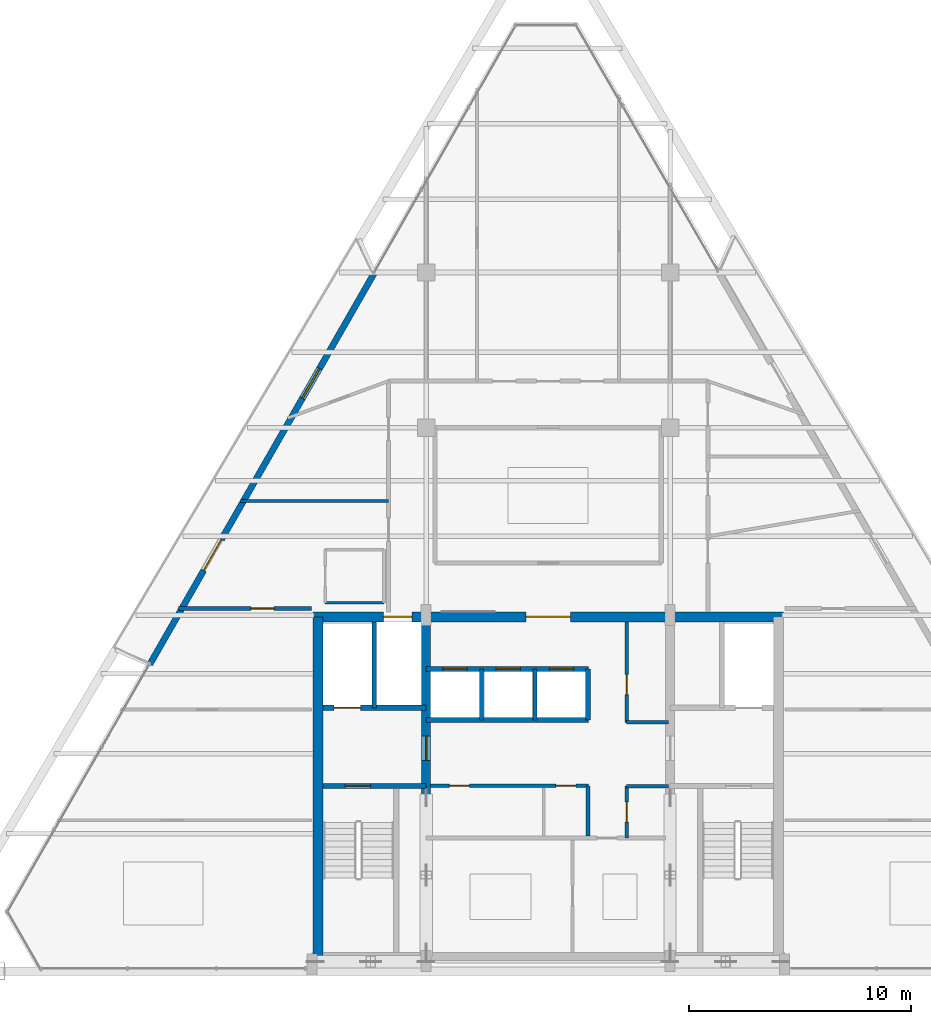
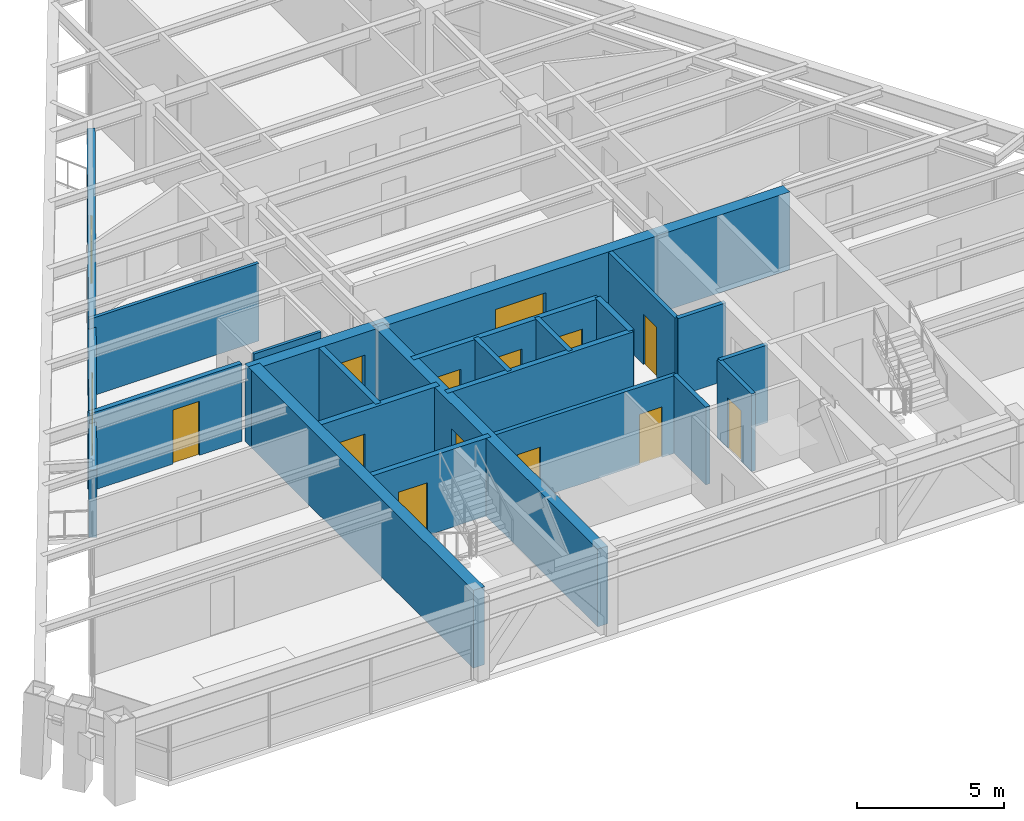
# One storey, part 9 of 13: 21 walls, 14 doors, 1 window, 15 openings.
"""IFC4 building model written with IfcOpenShell, lengths in metres."""

import ifcopenshell
import ifcopenshell.guid

model = None  # the IFC model being written
_history = None  # IfcOwnerHistory: only IFC2X3 demands one
_inside = {}  # id of a spatial element -> (the spatial element, [elements in it])
_under = {}  # id of a project, library or spatial element -> (it, [spatial elements below it])
_declared = {}  # id of a project -> (the project, [libraries it declares])
_typed = {}  # id of a type object -> (the type object, [elements of that type])
_made_of = {}  # id of a material, layer set ... -> (it, [elements and type objects made of it])


def new_model(schema):
    """Start an empty IFC model of exactly this schema.

    Asked for "IFC4X3", IfcOpenShell would pick the latest addendum, in which some entities
    have other attributes; the version numbers below select the first issue.
    IFC2X3 requires an IfcOwnerHistory on every rooted entity: one is made here for all.
    """
    global model, _history
    if schema == "IFC4X3":
        model = ifcopenshell.file(schema_version=(4, 3, 0, 0))
    else:
        model = ifcopenshell.file(schema=schema)
    _inside.clear()
    _under.clear()
    _declared.clear()
    _typed.clear()
    _made_of.clear()
    _history = None
    if model.schema == "IFC2X3":
        org = make("IfcOrganization", Name="unknown")
        user = make(
            "IfcPersonAndOrganization",
            ThePerson=make("IfcPerson", FamilyName="unknown"),
            TheOrganization=org,
        )
        app = make(
            "IfcApplication",
            ApplicationDeveloper=org,
            Version="unknown",
            ApplicationFullName="unknown",
            ApplicationIdentifier="unknown",
        )
        _history = make(
            "IfcOwnerHistory",
            OwningUser=user,
            OwningApplication=app,
            ChangeAction="ADDED",
            CreationDate=0,
        )
    return model


def make(cls, **values):
    """One entity of the class cls with the attributes given. An attribute that is None is left unset."""
    return model.create_entity(
        cls, **{name: value for name, value in values.items() if value is not None}
    )


def rooted(cls, **values):
    """An entity with a GlobalId (a new one), such as an element, a storey or a relation."""
    return make(cls, GlobalId=ifcopenshell.guid.new(), OwnerHistory=_history, **values)


def si_unit(unit_type, name, prefix=None):
    """IfcSIUnit, for example si_unit("LENGTHUNIT", "METRE", prefix="MILLI")."""
    return make("IfcSIUnit", UnitType=unit_type, Prefix=prefix, Name=name)


def assignment(units):
    """IfcUnitAssignment: the units of a project."""
    return None if units is None else make("IfcUnitAssignment", Units=units)


def point(xyz):
    """IfcCartesianPoint."""
    return None if xyz is None else make("IfcCartesianPoint", Coordinates=xyz)


def direction(xyz):
    """IfcDirection."""
    return None if xyz is None else make("IfcDirection", DirectionRatios=xyz)


def frame(location, z_axis=None, x_axis=None):
    """IfcAxis2Placement3D, a coordinate frame: its origin and axes. An axis left out is left unset."""
    return make(
        "IfcAxis2Placement3D",
        Location=point(location),
        Axis=direction(z_axis),
        RefDirection=direction(x_axis),
    )


def frame_2d(location, x_axis=None):
    """IfcAxis2Placement2D, a coordinate frame in the plane: its origin and x axis."""
    return make(
        "IfcAxis2Placement2D", Location=point(location), RefDirection=direction(x_axis)
    )


def origin():
    """The frame at (0, 0, 0) with its axes left unset."""
    return frame((0.0, 0.0, 0.0))


def place(relative_to, where):
    """IfcLocalPlacement: puts the frame where relative to a parent placement (None: the world)."""
    return make(
        "IfcLocalPlacement", PlacementRelTo=relative_to, RelativePlacement=where
    )


def context(
    kind, dimensions, precision=None, world=None, true_north=None, identifier=None
):
    """IfcGeometricRepresentationContext, for example the 3D "Model" context."""
    return make(
        "IfcGeometricRepresentationContext",
        ContextIdentifier=identifier,
        ContextType=kind,
        CoordinateSpaceDimension=dimensions,
        Precision=precision,
        WorldCoordinateSystem=world,
        TrueNorth=true_north,
    )


def subcontext(parent, identifier, kind, view, scale=None):
    """IfcGeometricRepresentationSubContext, for example "Body" below "Model"."""
    return make(
        "IfcGeometricRepresentationSubContext",
        ContextIdentifier=identifier,
        ContextType=kind,
        ParentContext=parent,
        TargetScale=scale,
        TargetView=view,
    )


def project(units=None, contexts=None):
    """IfcProject with its units and contexts."""
    return rooted(
        "IfcProject",
        Name="project",
        RepresentationContexts=contexts,
        UnitsInContext=assignment(units),
    )


def spatial(cls, under=None, at=None, **own):
    """A site, building, storey or space (cls), placed at a placement, below another one or the project."""
    s = rooted(cls, ObjectPlacement=at, **own)
    if under is not None:
        _under.setdefault(under.id(), (under, []))[1].append(s)
    return s


def profile(cls, at=None, kind="AREA", **sizes):
    """A parametric profile (cls). Its sizes go by their IFC names, for example OverallWidth=200.0."""
    return make(cls, ProfileType=kind, Position=at, **sizes)


def rectangle(**sizes):
    """IfcRectangleProfileDef."""
    return profile("IfcRectangleProfileDef", **sizes)


def extrude(swept, where, along, depth):
    """IfcExtrudedAreaSolid: the profile swept, set in the frame where, extruded along a direction by depth."""
    return make(
        "IfcExtrudedAreaSolid",
        SweptArea=swept,
        Position=where,
        ExtrudedDirection=direction(along),
        Depth=depth,
    )


def shape(context_of_items, identifier, shape_type, items):
    """IfcShapeRepresentation: the items that make up one representation, for example the "Body"."""
    return make(
        "IfcShapeRepresentation",
        ContextOfItems=context_of_items,
        RepresentationIdentifier=identifier,
        RepresentationType=shape_type,
        Items=items,
    )


def source(mapping_origin, context_of_items, identifier, shape_type, items):
    """IfcRepresentationMap: a shape defined once, which mapped items show again and again."""
    return make(
        "IfcRepresentationMap",
        MappingOrigin=mapping_origin,
        MappedRepresentation=shape(context_of_items, identifier, shape_type, items),
    )


def transform(
    local_origin,
    x_axis=None,
    y_axis=None,
    z_axis=None,
    scale=None,
    scale2=None,
    scale3=None,
    uniform=True,
):
    """IfcCartesianTransformationOperator3D, or its non-uniform kind. x_axis, y_axis, z_axis: its Axis1, 2, 3."""
    if uniform:
        return make(
            "IfcCartesianTransformationOperator3D",
            Axis1=direction(x_axis),
            Axis2=direction(y_axis),
            LocalOrigin=point(local_origin),
            Scale=scale,
            Axis3=direction(z_axis),
        )
    return make(
        "IfcCartesianTransformationOperator3DnonUniform",
        Axis1=direction(x_axis),
        Axis2=direction(y_axis),
        LocalOrigin=point(local_origin),
        Scale=scale,
        Axis3=direction(z_axis),
        Scale2=scale2,
        Scale3=scale3,
    )


def mapped(mapping_source, mapping_target):
    """IfcMappedItem: shows the shape of a source again, moved by a transform."""
    return make(
        "IfcMappedItem", MappingSource=mapping_source, MappingTarget=mapping_target
    )


def material(Name=None, Category=None):
    """IfcMaterial."""
    return make("IfcMaterial", Name=Name, Category=Category)


def layer(
    of_material, thickness, ventilated=None, Name=None, Category=None, Priority=None
):
    """IfcMaterialLayer: one layer of a wall or slab, of a material (None: an air gap)."""
    return make(
        "IfcMaterialLayer",
        Material=of_material,
        LayerThickness=thickness,
        IsVentilated=ventilated,
        Name=Name,
        Category=Category,
        Priority=Priority,
    )


def layer_set(layers, Name=None):
    """IfcMaterialLayerSet."""
    return make("IfcMaterialLayerSet", MaterialLayers=layers, LayerSetName=Name)


def made_of(thing, what):
    """Note that an element or type object is made of a material, layer set ...; save() writes the relation."""
    if what is not None:
        _made_of.setdefault(what.id(), (what, []))[1].append(thing)
    return thing


def type_object(cls, material=None, **own):
    """A type object (cls), such as IfcWallType, which elements share."""
    return made_of(rooted(cls, **own), material)


def type_shapes(of_type, sources):
    """Give a type object the sources (RepresentationMaps) that its elements show as mapped items."""
    of_type.RepresentationMaps = sources


def element(
    cls,
    number,
    at=None,
    inside=None,
    cuts=None,
    type_object=None,
    material=None,
    context=None,
    identifier="Body",
    shape_type=None,
    held_by="IfcProductDefinitionShape",
    body=None,
    shapes=None,
    **own,
):
    """One element of the class cls, such as IfcWall. Its Tag is "e" and its number.

    at: its placement. inside: the storey or other place that contains it. cuts: it is an
    opening in that element (IfcRelVoidsElement). A single representation is given by context,
    identifier, shape_type and body (its items); several are given by shapes. held_by: the class
    of the entity that holds the representations. save() writes the other relations.
    """
    e = rooted(cls, Tag="e%d" % number, ObjectPlacement=at, **own)
    if body is not None:
        shapes = [shape(context, identifier, shape_type, body)]
    if shapes is not None:
        e.Representation = make(held_by, Representations=shapes)
    if inside is not None:
        _inside.setdefault(inside.id(), (inside, []))[1].append(e)
    if cuts is not None:
        rooted(
            "IfcRelVoidsElement", RelatingBuildingElement=cuts, RelatedOpeningElement=e
        )
    if type_object is not None:
        _typed.setdefault(type_object.id(), (type_object, []))[1].append(e)
    return made_of(e, material)


def fill(opening, filler):
    """IfcRelFillsElement: the door or window that sits in an opening."""
    return rooted(
        "IfcRelFillsElement",
        RelatingOpeningElement=opening,
        RelatedBuildingElement=filler,
    )


def aggregate(whole, parts):
    """IfcRelAggregates: a whole, such as a stair, and the parts it consists of."""
    return rooted("IfcRelAggregates", RelatingObject=whole, RelatedObjects=parts)


def save(model, path):
    """Write the relations noted so far, then the file.

    IfcRelAggregates (storeys below a building ...), IfcRelContainedInSpatialStructure (elements
    in a storey), IfcRelDefinesByType, IfcRelAssociatesMaterial and IfcRelDeclares: one each for
    every whole, place, type object, material and project.
    """
    for whole, parts in _under.values():
        aggregate(whole, parts)
    for where, things in _inside.values():
        rooted(
            "IfcRelContainedInSpatialStructure",
            RelatedElements=things,
            RelatingStructure=where,
        )
    for kind, things in _typed.values():
        rooted("IfcRelDefinesByType", RelatedObjects=things, RelatingType=kind)
    for what, things in _made_of.values():
        rooted("IfcRelAssociatesMaterial", RelatedObjects=things, RelatingMaterial=what)
    for by, libraries in _declared.values():
        rooted("IfcRelDeclares", RelatingContext=by, RelatedDefinitions=libraries)
    model.write(path)


model = new_model("IFC4")

# Units and contexts
model_context = context("Model", 3, precision=1e-05, world=origin(), true_north=direction((0.0, 1.0)))
body_context = subcontext(model_context, "Body", "Model", "MODEL_VIEW")
ifc_project = project(units=[si_unit("LENGTHUNIT", "METRE"), si_unit("AREAUNIT", "SQUARE_METRE"), si_unit("VOLUMEUNIT", "CUBIC_METRE"), si_unit("PLANEANGLEUNIT", "RADIAN"), si_unit("MASSUNIT", "GRAM", prefix="KILO")], contexts=[model_context])

# Site, building, storey
site_placement = place(None, origin())
site = spatial("IfcSite", under=ifc_project, at=site_placement, CompositionType="ELEMENT")
building_placement = place(site_placement, origin())
building = spatial("IfcBuilding", under=site, at=building_placement, Name="Varnakhor Terracotta Tower", CompositionType="ELEMENT")
storey_placement = place(building_placement, frame((0.0, 0.0, 293.699951171875)))
storey = spatial("IfcBuildingStorey", under=building, at=storey_placement, Name="L77", CompositionType="ELEMENT", Elevation=293.699951171875)

# Wall
ifc_material_1 = material(Name="Moisture-Resistant Tile-Backed Partition", Category="gypsum")
ifc_layer_1 = layer(ifc_material_1, 0.114990234375, Name="Moisture-Resistant Tile-Backed Partition")
ifc_layer_set_1 = layer_set([ifc_layer_1], Name="Moisture-Resistant Tile-Backed Partition")
wall_type_1 = type_object("IfcWallType", Name="WAL-BATH-115", PredefinedType="PARTITIONING", material=ifc_layer_set_1)
wall_1_placement = place(storey_placement, frame((-10.050048828125, 16.60009765625, 0.0), z_axis=(0.0, 0.0, 1.0), x_axis=(1.0, 0.0, 0.0)))
element("IfcWall", 1, at=wall_1_placement, inside=storey, type_object=wall_type_1, Name="L77 En-Suite 1 Wall S", PredefinedType="PARTITIONING", context=body_context, shape_type="SweptSolid", body=[
    extrude(rectangle(XDim=2.650146484375, YDim=0.114990234375, at=frame_2d((1.3251953125, 0.0))), origin(), (0.0, 0.0, 1.0), 3.23193359375),
])

# Wall, openings, doors
ifc_material_2 = material(Name="Concrete C50/60", Category="concrete")
ifc_layer_2 = layer(ifc_material_2, 0.449951171875, Name="Concrete C50/60")
ifc_layer_set_2 = layer_set([ifc_layer_2], Name="Concrete C50/60")
wall_type_2 = type_object("IfcWallType", Name="WAL-CORE-450", PredefinedType="SHEAR", material=ifc_layer_set_2)
wall_2_placement = place(storey_placement, frame((-10.60009765625, 15.97509765625, 0.0), z_axis=(0.0, 0.0, 1.0), x_axis=(1.0, 0.0, 0.0)))
wall_2 = element("IfcWall", 2, at=wall_2_placement, inside=storey, type_object=wall_type_2, Name="L77 North Core Shear Wall", PredefinedType="SHEAR", context=body_context, shape_type="SweptSolid", body=[
    extrude(rectangle(XDim=21.2001953125, YDim=0.449951171875, at=frame_2d((10.60009765625, 0.0))), origin(), (0.0, 0.0, 1.0), 3.239990234375),
])
opening_1_placement = place(wall_2_placement, frame((3.169921875, 0.0, 0.0)))
opening_1 = element("IfcOpeningElement", 3, at=opening_1_placement, cuts=wall_2, Name="Opening LD-03", PredefinedType="OPENING", context=body_context, shape_type="SweptSolid", body=[
    extrude(rectangle(XDim=1.300048828125, YDim=2.300048828125, at=frame_2d((0.64990234375, 1.14990234375))), frame((0.0, 0.23486328125, 0.0), z_axis=(0.0, -1.0, 0.0), x_axis=(1.0, 0.0, 0.0)), (0.0, 0.0, 1.0), 0.469970703125),
])
opening_2_placement = place(wall_2_placement, frame((9.60009765625, 0.0, 0.0)))
opening_2 = element("IfcOpeningElement", 4, at=opening_2_placement, cuts=wall_2, Name="Opening DR-32", PredefinedType="OPENING", context=body_context, shape_type="SweptSolid", body=[
    extrude(rectangle(XDim=2.0, YDim=2.39990234375, at=frame_2d((1.0, 1.199951171875))), frame((0.0, 0.23486328125, 0.0), z_axis=(0.0, -1.0, 0.0), x_axis=(1.0, 0.0, 0.0)), (0.0, 0.0, 1.0), 0.469970703125),
])
ifc_material_3 = material(Name="Heavy-Duty Goods Sliding Lift Landing Door", Category="steel")
door_type_1 = type_object("IfcDoorType", Name="LD-SRV-1300X2300", OperationType="NOTDEFINED", PredefinedType="DOOR", material=ifc_material_3)
shared_shape_1 = source(origin(), body_context, "Body", "SweptSolid", [
    extrude(rectangle(XDim=1.300048828125, YDim=2.300048828125, at=frame_2d((0.64990234375, 1.14990234375))), frame((0.0, 0.02490234375, 0.0), z_axis=(0.0, -1.0, 0.0), x_axis=(1.0, 0.0, 0.0)), (0.0, 0.0, 1.0), 0.050048828125),
])
type_shapes(door_type_1, [shared_shape_1])
door_1_placement = place(opening_1_placement, origin())
door_1 = element("IfcDoor", 5, at=door_1_placement, inside=storey, type_object=door_type_1, Name="L77 Service Lift SVL-1 Landing Door", OperationType="SLIDING_TO_RIGHT", OverallHeight=2.300048828125, OverallWidth=1.300048828125, PredefinedType="DOOR", context=body_context, shape_type="MappedRepresentation", body=[
    mapped(shared_shape_1, transform((0.0, 0.0, 0.0), scale=1.0)),
])
fill(opening_1, door_1)
ifc_material_4 = material(Name="Acoustic Double Assembly Fire Door", Category="wood")
door_type_2 = type_object("IfcDoorType", Name="DR-HALL-2000X2400", OperationType="NOTDEFINED", PredefinedType="DOOR", material=ifc_material_4)
shared_shape_2 = source(origin(), body_context, "Body", "SweptSolid", [
    extrude(rectangle(XDim=2.0, YDim=2.39990234375, at=frame_2d((1.0, 1.199951171875))), frame((0.0, 0.02490234375, 0.0), z_axis=(0.0, -1.0, 0.0), x_axis=(1.0, 0.0, 0.0)), (0.0, 0.0, 1.0), 0.050048828125),
])
type_shapes(door_type_2, [shared_shape_2])
door_2_placement = place(opening_2_placement, origin())
door_2 = element("IfcDoor", 6, at=door_2_placement, inside=storey, type_object=door_type_2, Name="L77 Core Main Lobby Double Door", OperationType="DOUBLE_DOOR_SINGLE_SWING", OverallHeight=2.39990234375, OverallWidth=2.0, PredefinedType="DOOR", context=body_context, shape_type="MappedRepresentation", body=[
    mapped(shared_shape_2, transform((0.0, 0.0, 0.0), scale=1.0)),
])
fill(opening_2, door_2)

# Wall
wall_3_placement = place(storey_placement, frame((-10.375, 0.625, 0.0), z_axis=(0.0, 0.0, 1.0), x_axis=(0.0, 1.0, 0.0)))
element("IfcWall", 7, at=wall_3_placement, inside=storey, type_object=wall_type_2, Name="L77 West Core Shear Wall", PredefinedType="SHEAR", context=body_context, shape_type="SweptSolid", body=[
    extrude(rectangle(XDim=15.35009765625, YDim=0.449951171875, at=frame_2d((7.675048828125, 0.0))), origin(), (0.0, 0.0, 1.0), 3.239990234375),
])

# Wall, opening, door
ifc_layer_3 = layer(ifc_material_2, 0.39990234375, Name="Concrete C50/60")
ifc_layer_set_3 = layer_set([ifc_layer_3], Name="Concrete C50/60")
wall_type_3 = type_object("IfcWallType", Name="WAL-CORE-WEB-400", PredefinedType="SHEAR", material=ifc_layer_set_3)
wall_4_placement = place(storey_placement, frame((-5.5, 0.625, 0.0), z_axis=(0.0, 0.0, 1.0), x_axis=(0.0, 1.0, 0.0)))
wall_4 = element("IfcWall", 8, at=wall_4_placement, inside=storey, type_object=wall_type_3, Name="L77 West Core Web Shear Wall", PredefinedType="SHEAR", context=body_context, shape_type="SweptSolid", body=[
    extrude(rectangle(XDim=15.35009765625, YDim=0.39990234375, at=frame_2d((7.675048828125, 0.0))), origin(), (0.0, 0.0, 1.0), 3.239990234375),
])
opening_3_placement = place(wall_4_placement, frame((8.875, 0.0, 0.0)))
opening_3 = element("IfcOpeningElement", 9, at=opening_3_placement, cuts=wall_4, Name="Opening DR-25", PredefinedType="OPENING", context=body_context, shape_type="SweptSolid", body=[
    extrude(rectangle(XDim=1.10009765625, YDim=2.199951171875, at=frame_2d((0.550048828125, 1.10009765625))), frame((0.0, 0.2099609375, 0.0), z_axis=(0.0, -1.0, 0.0), x_axis=(1.0, 0.0, 0.0)), (0.0, 0.0, 1.0), 0.419921875),
])
ifc_material_5 = material(Name="Firefighting Lobby Self-Closing Fire Door", Category="steel")
door_type_3 = type_object("IfcDoorType", Name="DR-FFL-1100X2200", OperationType="NOTDEFINED", PredefinedType="DOOR", material=ifc_material_5)
shared_shape_3 = source(origin(), body_context, "Body", "SweptSolid", [
    extrude(rectangle(XDim=1.10009765625, YDim=2.199951171875, at=frame_2d((0.550048828125, 1.10009765625))), frame((0.0, 0.02490234375, 0.0), z_axis=(0.0, -1.0, 0.0), x_axis=(1.0, 0.0, 0.0)), (0.0, 0.0, 1.0), 0.050048828125),
])
type_shapes(door_type_3, [shared_shape_3])
door_3_placement = place(opening_3_placement, origin())
door_3 = element("IfcDoor", 10, at=door_3_placement, inside=storey, type_object=door_type_3, Name="L77 West Firefighting Lobby Door", OperationType="SINGLE_SWING_LEFT", OverallHeight=2.199951171875, OverallWidth=1.10009765625, PredefinedType="DOOR", context=body_context, shape_type="MappedRepresentation", body=[
    mapped(shared_shape_3, transform((0.0, 0.0, 0.0), scale=1.0)),
])
fill(opening_3, door_3)

ifc_material_6 = material(Name="Fire-Rated Gypsum Stud Partition", Category="gypsum")
ifc_layer_4 = layer(ifc_material_6, 0.18505859375, Name="Fire-Rated Gypsum Stud Partition")
ifc_layer_set_4 = layer_set([ifc_layer_4], Name="Fire-Rated Gypsum Stud Partition")
wall_type_4 = type_object("IfcWallType", Name="WAL-CORR-185", PredefinedType="PARTITIONING", material=ifc_layer_set_4)
wall_5_placement = place(storey_placement, frame((-16.663330078125, 16.35009765625, 0.0), z_axis=(0.0, 0.0, 1.0), x_axis=(1.0, 0.0, 0.0)))
wall_5 = element("IfcWall", 11, at=wall_5_placement, inside=storey, type_object=wall_type_4, Name="L77 South West Guest Entry Wall", PredefinedType="PARTITIONING", context=body_context, shape_type="SweptSolid", body=[
    extrude(rectangle(XDim=5.9833984375, YDim=0.18505859375, at=frame_2d((2.99169921875, 0.0))), origin(), (0.0, 0.0, 1.0), 3.23193359375),
])
opening_4_placement = place(wall_5_placement, frame((3.26220703125, 0.0, 0.0)))
opening_4 = element("IfcOpeningElement", 12, at=opening_4_placement, cuts=wall_5, Name="Opening DR-95", PredefinedType="OPENING", context=body_context, shape_type="SweptSolid", body=[
    extrude(rectangle(XDim=1.050048828125, YDim=2.25, at=frame_2d((0.52490234375, 1.125))), frame((0.0, 0.1025390625, 0.0), z_axis=(0.0, -1.0, 0.0), x_axis=(1.0, 0.0, 0.0)), (0.0, 0.0, 1.0), 0.205078125),
])
ifc_material_7 = material(Name="Solid-Core Timber Tenant/Hotel Entrance Door", Category="wood")
door_type_4 = type_object("IfcDoorType", Name="DR-SUITE-1050X2250", OperationType="NOTDEFINED", PredefinedType="DOOR", material=ifc_material_7)
shared_shape_4 = source(origin(), body_context, "Body", "SweptSolid", [
    extrude(rectangle(XDim=1.050048828125, YDim=2.25, at=frame_2d((0.52490234375, 1.125))), frame((0.0, 0.02490234375, 0.0), z_axis=(0.0, -1.0, 0.0), x_axis=(1.0, 0.0, 0.0)), (0.0, 0.0, 1.0), 0.050048828125),
])
type_shapes(door_type_4, [shared_shape_4])
door_4_placement = place(opening_4_placement, origin())
door_4 = element("IfcDoor", 13, at=door_4_placement, inside=storey, type_object=door_type_4, Name="L77 SW Suite Entry Door", OperationType="SINGLE_SWING_RIGHT", OverallHeight=2.25, OverallWidth=1.050048828125, PredefinedType="DOOR", context=body_context, shape_type="MappedRepresentation", body=[
    mapped(shared_shape_4, transform((0.0, 0.0, 0.0), scale=1.0)),
])
fill(opening_4, door_4)

# Wall, openings, door, window
ifc_material_8 = material(Name="Extruded Architectural Terracotta Assembly", Category="masonry")
ifc_layer_5 = layer(ifc_material_8, 0.280029296875, Name="Extruded Architectural Terracotta Assembly")
ifc_layer_set_5 = layer_set([ifc_layer_5], Name="Extruded Architectural Terracotta Assembly")
wall_type_5 = type_object("IfcWallType", Name="WAL-EXT-TERRACOTTA-280", PredefinedType="SOLIDWALL", material=ifc_layer_set_5)
wall_6_placement = place(storey_placement, frame((-17.95458984375, 13.83740234375, 0.0), z_axis=(0.0, 0.0, 1.0), x_axis=(0.49757006288, 0.867423790616, 0.0)))
wall_6 = element("IfcWall", 14, at=wall_6_placement, inside=storey, type_object=wall_type_5, Name="L77 W Loggia Insulated Terracotta Wall", PredefinedType="SOLIDWALL", context=body_context, shape_type="SweptSolid", body=[
    extrude(rectangle(XDim=20.327880859375, YDim=0.280029296875, at=frame_2d((10.1640625, 0.0))), origin(), (0.0, 0.0, 1.0), 2.820068359375),
])
opening_5_placement = place(wall_6_placement, frame((4.878662109375, 0.0, 0.0)))
opening_5 = element("IfcOpeningElement", 15, at=opening_5_placement, cuts=wall_6, Name="Opening DR-62", PredefinedType="OPENING", context=body_context, shape_type="SweptSolid", body=[
    extrude(rectangle(XDim=1.60009765625, YDim=2.35009765625, at=frame_2d((0.800048828125, 1.175048828125))), frame((0.0, 0.14990234375, 0.0), z_axis=(0.0, -1.0, 0.0), x_axis=(1.0, 0.0, 0.0)), (0.0, 0.0, 1.0), 0.300048828125),
])
opening_6_placement = place(wall_6_placement, frame((13.822998046875, 0.0, 0.89990234375)))
opening_6 = element("IfcOpeningElement", 16, at=opening_6_placement, cuts=wall_6, Name="Opening WN-59", PredefinedType="OPENING", context=body_context, shape_type="SweptSolid", body=[
    extrude(rectangle(XDim=1.550048828125, YDim=1.75, at=frame_2d((0.77490234375, 0.875))), frame((0.0, 0.14990234375, 0.0), z_axis=(0.0, -1.0, 0.0), x_axis=(1.0, 0.0, 0.0)), (0.0, 0.0, 1.0), 0.300048828125),
])
ifc_material_9 = material(Name="Thermally Broken Sliding Glass Loggia Door", Category="glass")
door_type_5 = type_object("IfcDoorType", Name="DR-EXT-LOGGIA-1600X2350", OperationType="NOTDEFINED", PredefinedType="DOOR", material=ifc_material_9)
shared_shape_5 = source(origin(), body_context, "Body", "SweptSolid", [
    extrude(rectangle(XDim=1.60009765625, YDim=2.35009765625, at=frame_2d((0.800048828125, 1.175048828125))), frame((0.0, 0.02490234375, 0.0), z_axis=(0.0, -1.0, 0.0), x_axis=(1.0, 0.0, 0.0)), (0.0, 0.0, 1.0), 0.050048828125),
])
type_shapes(door_type_5, [shared_shape_5])
door_5_placement = place(opening_5_placement, origin())
door_5 = element("IfcDoor", 17, at=door_5_placement, inside=storey, type_object=door_type_5, Name="L77 W Recessed Loggia Sliding Door", OperationType="SLIDING_TO_LEFT", OverallHeight=2.35009765625, OverallWidth=1.60009765625, PredefinedType="DOOR", context=body_context, shape_type="MappedRepresentation", body=[
    mapped(shared_shape_5, transform((0.0, 0.0, 0.0), scale=1.0)),
])
fill(opening_5, door_5)
ifc_material_10 = material(Name="Solar-Control Low-E Insulated Glass Unit", Category="glass")
window_type = type_object("IfcWindowType", Name="WIN-HTL-1500X1950", PartitioningType="SINGLE_PANEL", PredefinedType="WINDOW", material=ifc_material_10)
shared_shape_6 = source(origin(), body_context, "Body", "SweptSolid", [
    extrude(rectangle(XDim=1.550048828125, YDim=1.75, at=frame_2d((0.77490234375, 0.875))), frame((0.0, 0.030029296875, 0.0), z_axis=(0.0, -1.0, 0.0), x_axis=(1.0, 0.0, 0.0)), (0.0, 0.0, 1.0), 0.06005859375),
])
type_shapes(window_type, [shared_shape_6])
window_placement = place(opening_6_placement, origin())
window = element("IfcWindow", 18, at=window_placement, inside=storey, type_object=window_type, Name="L77 W Facet Punched Window", OverallHeight=1.75, OverallWidth=1.550048828125, PartitioningType="SINGLE_PANEL", PredefinedType="WINDOW", context=body_context, shape_type="MappedRepresentation", body=[
    mapped(shared_shape_6, transform((0.0, 0.0, 0.0), scale=1.0)),
])
fill(opening_6, window)

# Wall, opening, door
ifc_material_11 = material(Name="Concrete C40/50", Category="concrete")
ifc_layer_6 = layer(ifc_material_11, 0.219970703125, Name="Concrete C40/50")
ifc_layer_set_6 = layer_set([ifc_layer_6], Name="Concrete C40/50")
wall_type_6 = type_object("IfcWallType", Name="WAL-FFLOBBY-220", PredefinedType="SOLIDWALL", material=ifc_layer_set_6)
wall_7_placement = place(storey_placement, frame((-5.5, 8.35009765625, 0.0), z_axis=(0.0, 0.0, 1.0), x_axis=(-1.0, 0.0, 0.0)))
wall_7 = element("IfcWall", 19, at=wall_7_placement, inside=storey, type_object=wall_type_6, Name="L77 West Firefighting Lobby Stair Wall", PredefinedType="SOLIDWALL", context=body_context, shape_type="SweptSolid", body=[
    extrude(rectangle(XDim=4.64990234375, YDim=0.219970703125, at=frame_2d((2.324951171875, 0.0))), origin(), (0.0, 0.0, 1.0), 3.239990234375),
])
opening_7_placement = place(wall_7_placement, frame((2.5, 0.0, 0.0)))
opening_7 = element("IfcOpeningElement", 20, at=opening_7_placement, cuts=wall_7, Name="Opening DR-34", PredefinedType="OPENING", context=body_context, shape_type="SweptSolid", body=[
    extrude(rectangle(XDim=1.14990234375, YDim=2.199951171875, at=frame_2d((0.574951171875, 1.10009765625))), frame((0.0, 0.1201171875, 0.0), z_axis=(0.0, -1.0, 0.0), x_axis=(1.0, 0.0, 0.0)), (0.0, 0.0, 1.0), 0.239990234375),
])
ifc_material_12 = material(Name="Self-Closing Smoke-Sealed Steel Fire Door", Category="steel")
door_type_6 = type_object("IfcDoorType", Name="DR-STAIR-1150X2200", OperationType="NOTDEFINED", PredefinedType="DOOR", material=ifc_material_12)
shared_shape_7 = source(origin(), body_context, "Body", "SweptSolid", [
    extrude(rectangle(XDim=1.14990234375, YDim=2.199951171875, at=frame_2d((0.574951171875, 1.10009765625))), frame((0.0, 0.02490234375, 0.0), z_axis=(0.0, -1.0, 0.0), x_axis=(1.0, 0.0, 0.0)), (0.0, 0.0, 1.0), 0.050048828125),
])
type_shapes(door_type_6, [shared_shape_7])
door_6_placement = place(opening_7_placement, origin())
door_6 = element("IfcDoor", 21, at=door_6_placement, inside=storey, type_object=door_type_6, Name="L77 Exit Stair ST-1 Fire Door", OperationType="SINGLE_SWING_RIGHT", OverallHeight=2.199951171875, OverallWidth=1.14990234375, PredefinedType="DOOR", context=body_context, shape_type="MappedRepresentation", body=[
    mapped(shared_shape_7, transform((0.0, 0.0, 0.0), scale=1.0)),
])
fill(opening_7, door_6)

# Walls
ifc_material_13 = material(Name="Acoustic Hotel Room Partition", Category="gypsum")
ifc_layer_7 = layer(ifc_material_13, 0.1298828125, Name="Acoustic Hotel Room Partition")
ifc_layer_set_7 = layer_set([ifc_layer_7], Name="Acoustic Hotel Room Partition")
wall_type_7 = type_object("IfcWallType", Name="WAL-PART-130", PredefinedType="PARTITIONING", material=ifc_layer_set_7)
wall_8_placement = place(storey_placement, frame((-13.881103515625, 21.199951171875, 0.0), z_axis=(0.0, 0.0, 1.0), x_axis=(1.0, 0.0, 0.0)))
element("IfcWall", 22, at=wall_8_placement, inside=storey, type_object=wall_type_7, Name="L77 West Key Cut 1", PredefinedType="PARTITIONING", context=body_context, shape_type="SweptSolid", body=[
    extrude(rectangle(XDim=6.68115234375, YDim=0.1298828125, at=frame_2d((3.340576171875, 0.0))), origin(), (0.0, 0.0, 1.0), 3.23193359375),
])
ifc_layer_8 = layer(ifc_material_11, 0.179931640625, Name="Concrete C40/50")
ifc_layer_set_8 = layer_set([ifc_layer_8], Name="Concrete C40/50")
wall_type_8 = type_object("IfcWallType", Name="WAL-SHAFT-180", PredefinedType="SOLIDWALL", material=ifc_layer_set_8)
for number, where, z_axis, x_axis, name in (
    (23, (-3.0, 11.320068359375, 0.0), (0.0, 0.0, 1.0), (0.0, 1.0, 0.0), "L77 PL-3A Divider"),
    (24, (-0.60009765625, 11.320068359375, 0.0), (0.0, 0.0, 1.0), (0.0, 1.0, 0.0), "L77 PL-3B Divider"),
):
    element("IfcWall", number, at=place(storey_placement, frame(where, z_axis=z_axis, x_axis=x_axis)), inside=storey, type_object=wall_type_8, Name=name, PredefinedType="SOLIDWALL", context=body_context, shape_type="SweptSolid", body=[
        extrude(rectangle(XDim=2.300048828125, YDim=0.179931640625, at=frame_2d((1.14990234375, 0.0))), origin(), (0.0, 0.0, 1.0), 3.239990234375),
    ])
ifc_layer_9 = layer(ifc_material_11, 0.219970703125, Name="Concrete C40/50")
ifc_layer_set_9 = layer_set([ifc_layer_9], Name="Concrete C40/50")
wall_type_9 = type_object("IfcWallType", Name="WAL-SHAFT-220", PredefinedType="SOLIDWALL", material=ifc_layer_set_9)
wall_9_placement = place(storey_placement, frame((-7.840087890625, 11.8701171875, 0.0), z_axis=(0.0, 0.0, 1.0), x_axis=(0.0, 1.0, 0.0)))
element("IfcWall", 25, at=wall_9_placement, inside=storey, type_object=wall_type_9, Name="L77 Lift FFL-1 and SVL-1 Divider Wall", PredefinedType="SOLIDWALL", context=body_context, shape_type="SweptSolid", body=[
    extrude(rectangle(XDim=3.8798828125, YDim=0.219970703125, at=frame_2d((1.93994140625, 0.0))), origin(), (0.0, 0.0, 1.0), 3.239990234375),
])
wall_10_placement = place(storey_placement, frame((-5.5, 11.320068359375, 0.0), z_axis=(0.0, 0.0, 1.0), x_axis=(1.0, 0.0, 0.0)))
element("IfcWall", 26, at=wall_10_placement, inside=storey, type_object=wall_type_9, Name="L77 Bank 3 South Shaft Wall", PredefinedType="SOLIDWALL", context=body_context, shape_type="SweptSolid", body=[
    extrude(rectangle(XDim=7.320068359375, YDim=0.219970703125, at=frame_2d((3.66015625, 0.0))), origin(), (0.0, 0.0, 1.0), 3.239990234375),
])

# Wall, openings, doors
wall_11_placement = place(storey_placement, frame((-5.5, 13.6201171875, 0.0), z_axis=(0.0, 0.0, 1.0), x_axis=(1.0, 0.0, 0.0)))
wall_11 = element("IfcWall", 27, at=wall_11_placement, inside=storey, type_object=wall_type_9, Name="L77 Bank 3 North Shaft Wall", PredefinedType="SOLIDWALL", context=body_context, shape_type="SweptSolid", body=[
    extrude(rectangle(XDim=7.320068359375, YDim=0.219970703125, at=frame_2d((3.66015625, 0.0))), origin(), (0.0, 0.0, 1.0), 3.239990234375),
])
opening_8_placement = place(wall_11_placement, frame((0.75, 0.0, 0.0)))
opening_8 = element("IfcOpeningElement", 28, at=opening_8_placement, cuts=wall_11, Name="Opening LD-01", PredefinedType="OPENING", context=body_context, shape_type="SweptSolid", body=[
    extrude(rectangle(XDim=1.10009765625, YDim=2.199951171875, at=frame_2d((0.550048828125, 1.10009765625))), frame((0.0, 0.1201171875, 0.0), z_axis=(0.0, -1.0, 0.0), x_axis=(1.0, 0.0, 0.0)), (0.0, 0.0, 1.0), 0.239990234375),
])
opening_9_placement = place(wall_11_placement, frame((3.14990234375, 0.0, 0.0)))
opening_9 = element("IfcOpeningElement", 29, at=opening_9_placement, cuts=wall_11, Name="Opening LD-01", PredefinedType="OPENING", context=body_context, shape_type="SweptSolid", body=[
    extrude(rectangle(XDim=1.10009765625, YDim=2.199951171875, at=frame_2d((0.550048828125, 1.10009765625))), frame((0.0, 0.1201171875, 0.0), z_axis=(0.0, -1.0, 0.0), x_axis=(1.0, 0.0, 0.0)), (0.0, 0.0, 1.0), 0.239990234375),
])
opening_10_placement = place(wall_11_placement, frame((5.550048828125, 0.0, 0.0)))
opening_10 = element("IfcOpeningElement", 30, at=opening_10_placement, cuts=wall_11, Name="Opening LD-01", PredefinedType="OPENING", context=body_context, shape_type="SweptSolid", body=[
    extrude(rectangle(XDim=1.10009765625, YDim=2.199951171875, at=frame_2d((0.550048828125, 1.10009765625))), frame((0.0, 0.1201171875, 0.0), z_axis=(0.0, -1.0, 0.0), x_axis=(1.0, 0.0, 0.0)), (0.0, 0.0, 1.0), 0.239990234375),
])
ifc_material_14 = material(Name="Brushed Stainless Steel Sliding Lift Landing Door", Category="steel")
door_type_7 = type_object("IfcDoorType", Name="LD-PASS-1100X2200", OperationType="NOTDEFINED", PredefinedType="DOOR", material=ifc_material_14)
shared_shape_8 = source(origin(), body_context, "Body", "SweptSolid", [
    extrude(rectangle(XDim=1.10009765625, YDim=2.199951171875, at=frame_2d((0.550048828125, 1.10009765625))), frame((0.0, 0.02490234375, 0.0), z_axis=(0.0, -1.0, 0.0), x_axis=(1.0, 0.0, 0.0)), (0.0, 0.0, 1.0), 0.050048828125),
])
type_shapes(door_type_7, [shared_shape_8])
door_7_placement = place(opening_8_placement, origin())
door_7 = element("IfcDoor", 31, at=door_7_placement, inside=storey, type_object=door_type_7, Name="L77 Passenger Lift PL-3A Landing Door", OperationType="SLIDING_TO_RIGHT", OverallHeight=2.199951171875, OverallWidth=1.10009765625, PredefinedType="DOOR", context=body_context, shape_type="MappedRepresentation", body=[
    mapped(shared_shape_8, transform((0.0, 0.0, 0.0), scale=1.0)),
])
fill(opening_8, door_7)
door_8_placement = place(opening_9_placement, origin())
door_8 = element("IfcDoor", 32, at=door_8_placement, inside=storey, type_object=door_type_7, Name="L77 Passenger Lift PL-3B Landing Door", OperationType="SLIDING_TO_RIGHT", OverallHeight=2.199951171875, OverallWidth=1.10009765625, PredefinedType="DOOR", context=body_context, shape_type="MappedRepresentation", body=[
    mapped(shared_shape_8, transform((0.0, 0.0, 0.0), scale=1.0)),
])
fill(opening_9, door_8)
door_9_placement = place(opening_10_placement, origin())
door_9 = element("IfcDoor", 33, at=door_9_placement, inside=storey, type_object=door_type_7, Name="L77 Passenger Lift PL-3C Landing Door", OperationType="SLIDING_TO_RIGHT", OverallHeight=2.199951171875, OverallWidth=1.10009765625, PredefinedType="DOOR", context=body_context, shape_type="MappedRepresentation", body=[
    mapped(shared_shape_8, transform((0.0, 0.0, 0.0), scale=1.0)),
])
fill(opening_10, door_9)

# Wall
wall_12_placement = place(storey_placement, frame((1.800048828125, 11.320068359375, 0.0), z_axis=(0.0, 0.0, 1.0), x_axis=(0.0, 1.0, 0.0)))
element("IfcWall", 34, at=wall_12_placement, inside=storey, type_object=wall_type_9, Name="L77 Bank 3 East Shaft Wall", PredefinedType="SOLIDWALL", context=body_context, shape_type="SweptSolid", body=[
    extrude(rectangle(XDim=2.300048828125, YDim=0.219970703125, at=frame_2d((1.14990234375, 0.0))), origin(), (0.0, 0.0, 1.0), 3.239990234375),
])

# Wall, opening, door
ifc_layer_10 = layer(ifc_material_11, 0.25, Name="Concrete C40/50")
ifc_layer_set_10 = layer_set([ifc_layer_10], Name="Concrete C40/50")
wall_type_10 = type_object("IfcWallType", Name="WAL-SHAFT-250", PredefinedType="SOLIDWALL", material=ifc_layer_set_10)
wall_13_placement = place(storey_placement, frame((-5.5, 11.8701171875, 0.0), z_axis=(0.0, 0.0, 1.0), x_axis=(-1.0, 0.0, 0.0)))
wall_13 = element("IfcWall", 35, at=wall_13_placement, inside=storey, type_object=wall_type_10, Name="L77 Lift FFL-1 Shaft Front Wall", PredefinedType="SOLIDWALL", context=body_context, shape_type="SweptSolid", body=[
    extrude(rectangle(XDim=4.64990234375, YDim=0.25, at=frame_2d((2.324951171875, 0.0))), origin(), (0.0, 0.0, 1.0), 3.239990234375),
])
opening_11_placement = place(wall_13_placement, frame((2.949951171875, 0.0, 0.0)))
opening_11 = element("IfcOpeningElement", 36, at=opening_11_placement, cuts=wall_13, Name="Opening LD-02", PredefinedType="OPENING", context=body_context, shape_type="SweptSolid", body=[
    extrude(rectangle(XDim=1.199951171875, YDim=2.25, at=frame_2d((0.60009765625, 1.125))), frame((0.0, 0.135009765625, 0.0), z_axis=(0.0, -1.0, 0.0), x_axis=(1.0, 0.0, 0.0)), (0.0, 0.0, 1.0), 0.27001953125),
])
ifc_material_15 = material(Name="Firefighting Stretcher Sliding Lift Landing Door", Category="steel")
door_type_8 = type_object("IfcDoorType", Name="LD-FFL-1200X2250", OperationType="NOTDEFINED", PredefinedType="DOOR", material=ifc_material_15)
shared_shape_9 = source(origin(), body_context, "Body", "SweptSolid", [
    extrude(rectangle(XDim=1.199951171875, YDim=2.25, at=frame_2d((0.60009765625, 1.125))), frame((0.0, 0.02490234375, 0.0), z_axis=(0.0, -1.0, 0.0), x_axis=(1.0, 0.0, 0.0)), (0.0, 0.0, 1.0), 0.050048828125),
])
type_shapes(door_type_8, [shared_shape_9])
door_10_placement = place(opening_11_placement, origin())
door_10 = element("IfcDoor", 37, at=door_10_placement, inside=storey, type_object=door_type_8, Name="L77 Firefighting Lift FFL-1 Landing Door", OperationType="SLIDING_TO_LEFT", OverallHeight=2.25, OverallWidth=1.199951171875, PredefinedType="DOOR", context=body_context, shape_type="MappedRepresentation", body=[
    mapped(shared_shape_9, transform((0.0, 0.0, 0.0), scale=1.0)),
])
fill(opening_11, door_10)

ifc_material_16 = material(Name="Acoustic Fire-Rated Partition", Category="gypsum")
ifc_layer_11 = layer(ifc_material_16, 0.1650390625, Name="Acoustic Fire-Rated Partition")
ifc_layer_set_11 = layer_set([ifc_layer_11], Name="Acoustic Fire-Rated Partition")
wall_type_11 = type_object("IfcWallType", Name="WAL-TENANCY-165", PredefinedType="PARTITIONING", material=ifc_layer_set_11)
wall_14_placement = place(storey_placement, frame((3.5400390625, 6.0, 0.0), z_axis=(0.0, 0.0, 1.0), x_axis=(0.0, 1.0, 0.0)))
wall_14 = element("IfcWall", 38, at=wall_14_placement, inside=storey, type_object=wall_type_11, Name="L77 Accessible WC Rated Wall", PredefinedType="PARTITIONING", context=body_context, shape_type="SweptSolid", body=[
    extrude(rectangle(XDim=2.340087890625, YDim=0.1650390625, at=frame_2d((1.169921875, 0.0))), origin(), (0.0, 0.0, 1.0), 3.23193359375),
])
opening_12_placement = place(wall_14_placement, frame((0.719970703125, 0.0, 0.0)))
opening_12 = element("IfcOpeningElement", 39, at=opening_12_placement, cuts=wall_14, Name="Opening DR-67", PredefinedType="OPENING", context=body_context, shape_type="SweptSolid", body=[
    extrude(rectangle(XDim=0.89990234375, YDim=2.10009765625, at=frame_2d((0.449951171875, 1.050048828125))), frame((0.0, 0.092529296875, 0.0), z_axis=(0.0, -1.0, 0.0), x_axis=(1.0, 0.0, 0.0)), (0.0, 0.0, 1.0), 0.18505859375),
])
ifc_material_17 = material(Name="Steel Service Riser Fire Door", Category="steel")
door_type_9 = type_object("IfcDoorType", Name="DR-RISER-900X2100", OperationType="NOTDEFINED", PredefinedType="DOOR", material=ifc_material_17)
shared_shape_10 = source(origin(), body_context, "Body", "SweptSolid", [
    extrude(rectangle(XDim=0.89990234375, YDim=2.10009765625, at=frame_2d((0.449951171875, 1.050048828125))), frame((0.0, 0.02490234375, 0.0), z_axis=(0.0, -1.0, 0.0), x_axis=(1.0, 0.0, 0.0)), (0.0, 0.0, 1.0), 0.050048828125),
])
type_shapes(door_type_9, [shared_shape_10])
door_11_placement = place(opening_12_placement, origin())
door_11 = element("IfcDoor", 40, at=door_11_placement, inside=storey, type_object=door_type_9, Name="L77 Accessible WC Door", OperationType="SINGLE_SWING_RIGHT", OverallHeight=2.10009765625, OverallWidth=0.89990234375, PredefinedType="DOOR", context=body_context, shape_type="MappedRepresentation", body=[
    mapped(shared_shape_10, transform((0.0, 0.0, 0.0), scale=1.0)),
])
fill(opening_12, door_11)

# Wall
wall_15_placement = place(storey_placement, frame((3.5400390625, 8.340087890625, 0.0), z_axis=(0.0, 0.0, 1.0), x_axis=(1.0, 0.0, 0.0)))
element("IfcWall", 41, at=wall_15_placement, inside=storey, type_object=wall_type_11, Name="L77 Accessible WC North Wall", PredefinedType="PARTITIONING", context=body_context, shape_type="SweptSolid", body=[
    extrude(rectangle(XDim=1.8798828125, YDim=0.1650390625, at=frame_2d((0.93994140625, 0.0))), origin(), (0.0, 0.0, 1.0), 3.23193359375),
])

# Wall, openings, doors
wall_16_placement = place(storey_placement, frame((-5.300048828125, 8.35009765625, 0.0), z_axis=(0.0, 0.0, 1.0), x_axis=(1.0, 0.0, 0.0)))
wall_16 = element("IfcWall", 42, at=wall_16_placement, inside=storey, type_object=wall_type_11, Name="L77 Reclaimed Mid-Core North Wall", PredefinedType="PARTITIONING", context=body_context, shape_type="SweptSolid", body=[
    extrude(rectangle(XDim=7.1201171875, YDim=0.1650390625, at=frame_2d((3.56005859375, 0.0))), origin(), (0.0, 0.0, 1.0), 3.23193359375),
])
opening_13_placement = place(wall_16_placement, frame((0.85009765625, 0.0, 0.0)))
opening_13 = element("IfcOpeningElement", 43, at=opening_13_placement, cuts=wall_16, Name="Opening DR-67", PredefinedType="OPENING", context=body_context, shape_type="SweptSolid", body=[
    extrude(rectangle(XDim=0.89990234375, YDim=2.10009765625, at=frame_2d((0.449951171875, 1.050048828125))), frame((0.0, 0.092529296875, 0.0), z_axis=(0.0, -1.0, 0.0), x_axis=(1.0, 0.0, 0.0)), (0.0, 0.0, 1.0), 0.18505859375),
])
opening_14_placement = place(wall_16_placement, frame((5.64990234375, 0.0, 0.0)))
opening_14 = element("IfcOpeningElement", 44, at=opening_14_placement, cuts=wall_16, Name="Opening DR-67", PredefinedType="OPENING", context=body_context, shape_type="SweptSolid", body=[
    extrude(rectangle(XDim=0.89990234375, YDim=2.10009765625, at=frame_2d((0.449951171875, 1.050048828125))), frame((0.0, 0.092529296875, 0.0), z_axis=(0.0, -1.0, 0.0), x_axis=(1.0, 0.0, 0.0)), (0.0, 0.0, 1.0), 0.18505859375),
])
door_12_placement = place(opening_13_placement, origin())
door_12 = element("IfcDoor", 45, at=door_12_placement, inside=storey, type_object=door_type_9, Name="L77 Core West Restroom Door", OperationType="SINGLE_SWING_LEFT", OverallHeight=2.10009765625, OverallWidth=0.89990234375, PredefinedType="DOOR", context=body_context, shape_type="MappedRepresentation", body=[
    mapped(shared_shape_10, transform((0.0, 0.0, 0.0), scale=1.0)),
])
fill(opening_13, door_12)
door_13_placement = place(opening_14_placement, origin())
door_13 = element("IfcDoor", 46, at=door_13_placement, inside=storey, type_object=door_type_9, Name="L77 Core East Restroom Door", OperationType="SINGLE_SWING_RIGHT", OverallHeight=2.10009765625, OverallWidth=0.89990234375, PredefinedType="DOOR", context=body_context, shape_type="MappedRepresentation", body=[
    mapped(shared_shape_10, transform((0.0, 0.0, 0.0), scale=1.0)),
])
fill(opening_14, door_13)

# Wall
wall_17_placement = place(storey_placement, frame((1.800048828125, 6.10009765625, 0.0), z_axis=(0.0, 0.0, 1.0), x_axis=(0.0, 1.0, 0.0)))
element("IfcWall", 47, at=wall_17_placement, inside=storey, type_object=wall_type_11, Name="L77 Reclaimed Mid-Core East Wall", PredefinedType="PARTITIONING", context=body_context, shape_type="SweptSolid", body=[
    extrude(rectangle(XDim=2.25, YDim=0.1650390625, at=frame_2d((1.125, 0.0))), origin(), (0.0, 0.0, 1.0), 3.23193359375),
])

# Wall, opening, door
wall_18_placement = place(storey_placement, frame((3.5400390625, 11.219970703125, 0.0), z_axis=(0.0, 0.0, 1.0), x_axis=(0.0, 1.0, 0.0)))
wall_18 = element("IfcWall", 48, at=wall_18_placement, inside=storey, type_object=wall_type_11, Name="L77 Restroom Corridor Wall", PredefinedType="PARTITIONING", context=body_context, shape_type="SweptSolid", body=[
    extrude(rectangle(XDim=4.530029296875, YDim=0.1650390625, at=frame_2d((2.26513671875, 0.0))), origin(), (0.0, 0.0, 1.0), 3.23193359375),
])
opening_15_placement = place(wall_18_placement, frame((1.25, 0.0, 0.0)))
opening_15 = element("IfcOpeningElement", 49, at=opening_15_placement, cuts=wall_18, Name="Opening DR-67", PredefinedType="OPENING", context=body_context, shape_type="SweptSolid", body=[
    extrude(rectangle(XDim=0.89990234375, YDim=2.10009765625, at=frame_2d((0.449951171875, 1.050048828125))), frame((0.0, 0.092529296875, 0.0), z_axis=(0.0, -1.0, 0.0), x_axis=(1.0, 0.0, 0.0)), (0.0, 0.0, 1.0), 0.18505859375),
])
door_14_placement = place(opening_15_placement, origin())
door_14 = element("IfcDoor", 50, at=door_14_placement, inside=storey, type_object=door_type_9, Name="L77 Female WC Door", OperationType="SINGLE_SWING_LEFT", OverallHeight=2.10009765625, OverallWidth=0.89990234375, PredefinedType="DOOR", context=body_context, shape_type="MappedRepresentation", body=[
    mapped(shared_shape_10, transform((0.0, 0.0, 0.0), scale=1.0)),
])
fill(opening_15, door_14)

# Wall
wall_19_placement = place(storey_placement, frame((3.5400390625, 11.219970703125, 0.0), z_axis=(0.0, 0.0, 1.0), x_axis=(1.0, 0.0, 0.0)))
element("IfcWall", 51, at=wall_19_placement, inside=storey, type_object=wall_type_11, Name="L77 Restroom South Wall", PredefinedType="PARTITIONING", context=body_context, shape_type="SweptSolid", body=[
    extrude(rectangle(XDim=1.8798828125, YDim=0.1650390625, at=frame_2d((0.93994140625, 0.0))), origin(), (0.0, 0.0, 1.0), 3.23193359375),
])

save(model, "model.ifc")
